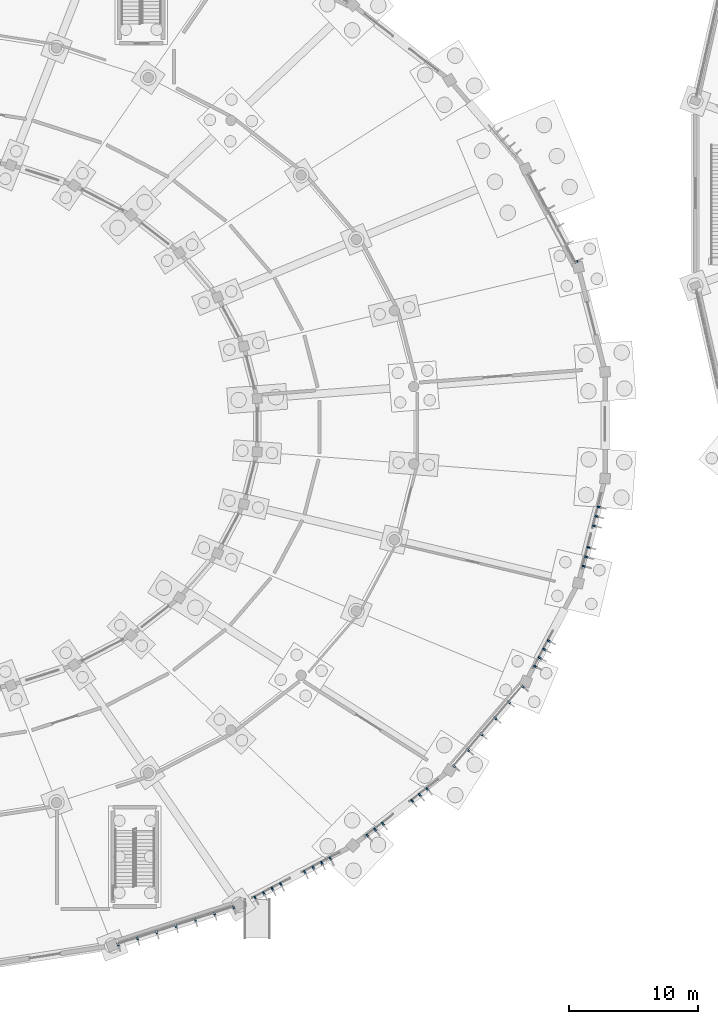
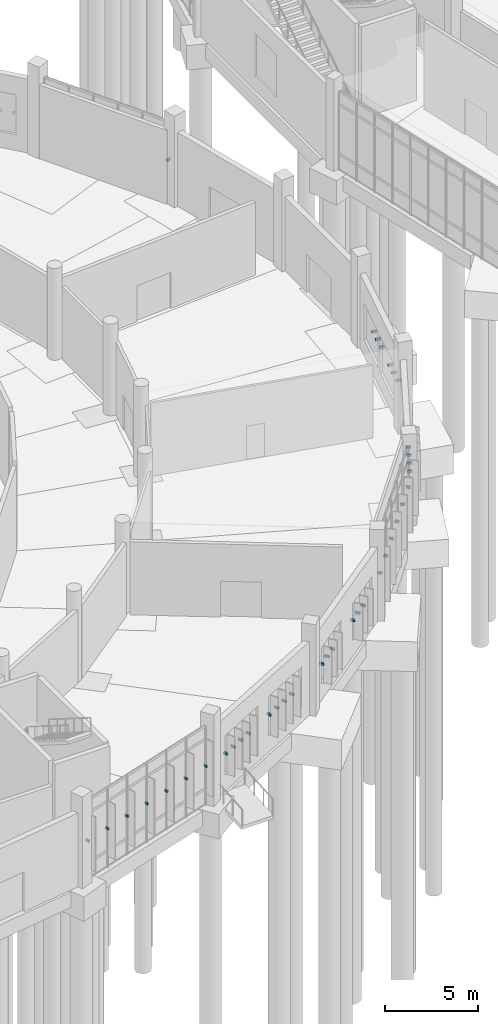
# One storey, part 102 of 140: 38 discrete accessories.
"""IFC4 building model written with IfcOpenShell, lengths in metres."""

from ifc_helpers import new_model, si_unit, direction, frame, origin, origin_2d, place, context, subcontext, project, spatial, rectangle, extrude, material, type_object, element, save


model = new_model("IFC4")

# Units and contexts
model_context = context("Model", 3, precision=1e-05, world=origin(), true_north=direction((0.0, 1.0)))
body_context = subcontext(model_context, "Body", "Model", "MODEL_VIEW")
ifc_project = project(units=[si_unit("LENGTHUNIT", "METRE"), si_unit("AREAUNIT", "SQUARE_METRE"), si_unit("VOLUMEUNIT", "CUBIC_METRE"), si_unit("PLANEANGLEUNIT", "RADIAN"), si_unit("MASSUNIT", "GRAM", prefix="KILO")], contexts=[model_context])

# Site, building, storey
site_placement = place(None, origin())
site = spatial("IfcSite", under=ifc_project, at=site_placement, CompositionType="ELEMENT")
building_placement = place(site_placement, origin())
building = spatial("IfcBuilding", under=site, at=building_placement, Name="Corvandel Quay Wholesale Market", CompositionType="ELEMENT")
storey_placement = place(building_placement, origin())
storey = spatial("IfcBuildingStorey", under=building, at=storey_placement, Name="L00", CompositionType="ELEMENT", Elevation=0.0)

# Discrete accessories
ifc_material = material(Name="Austenitic stainless steel Grade 316", Category="steel")
discrete_accessory_type = type_object("IfcDiscreteAccessoryType", Name="Stainless Solar Fin Fixing Bracket BRK01", PredefinedType="USERDEFINED", material=ifc_material)
for number, where, z_axis, x_axis, name in (
    (1, (165.7666015625, 54.676513671875, 2.5048828125), (0.0, 0.0, 1.0), (0.882619624736, 0.470087862033, 0.0), "Fin Bracket 0001"),
    (2, (130.19775390625, 1.69482421875, 2.5048828125), (0.0, 0.0, 1.0), (-0.306692204733, 0.951808747363, 0.0), "Fin Bracket 0166"),
    (3, (131.69287109375, 2.176513671875, 2.5048828125), (0.0, 0.0, 1.0), (-0.306692204733, 0.951808747363, 0.0), "Fin Bracket 0167"),
    (4, (133.188232421875, 2.658203125, 2.5048828125), (0.0, 0.0, 1.0), (-0.306692204733, 0.951808747363, 0.0), "Fin Bracket 0168"),
    (5, (134.683349609375, 3.139892578125, 2.5048828125), (0.0, 0.0, 1.0), (-0.306692204733, 0.951808747363, 0.0), "Fin Bracket 0169"),
    (6, (136.1787109375, 3.62158203125, 2.5048828125), (0.0, 0.0, 1.0), (-0.306692204733, 0.951808747363, 0.0), "Fin Bracket 0170"),
    (7, (137.673828125, 4.103271484375, 2.5048828125), (0.0, 0.0, 1.0), (-0.306692204733, 0.951808747363, 0.0), "Fin Bracket 0171"),
    (8, (139.169189453125, 4.5849609375, 2.5048828125), (0.0, 0.0, 1.0), (-0.306692204733, 0.951808747363, 0.0), "Fin Bracket 0172"),
):
    element("IfcDiscreteAccessory", number, at=place(storey_placement, frame(where, z_axis=z_axis, x_axis=x_axis)), inside=storey, type_object=discrete_accessory_type, Name=name, ObjectType="BRACKET", PredefinedType="USERDEFINED", context=body_context, shape_type="SweptSolid", body=[
        extrude(rectangle(XDim=0.239990234375, YDim=0.1201171875, at=origin_2d()), origin(), (0.0, 0.0, 1.0), 0.139892578125),
    ])
for number, where, z_axis, x_axis, name in (
    (9, (140.8408203125, 5.322998046875, 2.2802734375), (0.0, 0.0, 1.0), (-0.461129250378, 0.887332978338, 0.0), "Fin Bracket 0181"),
    (10, (141.50634765625, 5.6689453125, 2.2802734375), (0.0, 0.0, 1.0), (-0.461129250378, 0.887332978338, 0.0), "Fin Bracket 0182"),
    (11, (142.171875, 6.0146484375, 2.2802734375), (0.0, 0.0, 1.0), (-0.461129250378, 0.887332978338, 0.0), "Fin Bracket 0183"),
    (12, (142.83740234375, 6.360595703125, 2.2802734375), (0.0, 0.0, 1.0), (-0.461129250378, 0.887332978338, 0.0), "Fin Bracket 0184"),
    (13, (144.680419921875, 7.318359375, 2.2802734375), (0.0, 0.0, 1.0), (-0.461129250378, 0.887332978338, 0.0), "Fin Bracket 0185"),
    (14, (145.345703125, 7.664306640625, 2.2802734375), (0.0, 0.0, 1.0), (-0.461129250378, 0.887332978338, 0.0), "Fin Bracket 0186"),
    (15, (146.01123046875, 8.010009765625, 2.2802734375), (0.0, 0.0, 1.0), (-0.461129250378, 0.887332978338, 0.0), "Fin Bracket 0187"),
    (16, (146.6767578125, 8.355712890625, 2.2802734375), (0.0, 0.0, 1.0), (-0.461129250378, 0.887332978338, 0.0), "Fin Bracket 0188"),
    (17, (149.56591796875, 10.13818359375, 2.18017578125), (0.0, 0.0, 1.0), (-0.614009720373, 0.789298462742, 0.0), "Fin Bracket 0198"),
    (18, (150.15771484375, 10.5986328125, 2.18017578125), (0.0, 0.0, 1.0), (-0.614009720373, 0.789298462742, 0.0), "Fin Bracket 0199"),
    (19, (150.749755859375, 11.05908203125, 2.18017578125), (0.0, 0.0, 1.0), (-0.614009720373, 0.789298462742, 0.0), "Fin Bracket 0200"),
    (20, (153.031005859375, 12.83349609375, 2.18017578125), (0.0, 0.0, 1.0), (-0.614009720373, 0.789298462742, 0.0), "Fin Bracket 0201"),
    (21, (153.622802734375, 13.2939453125, 2.18017578125), (0.0, 0.0, 1.0), (-0.614009720373, 0.789298462742, 0.0), "Fin Bracket 0202"),
    (22, (154.21484375, 13.75439453125, 2.18017578125), (0.0, 0.0, 1.0), (-0.614009720373, 0.789298462742, 0.0), "Fin Bracket 0203"),
):
    element("IfcDiscreteAccessory", number, at=place(storey_placement, frame(where, z_axis=z_axis, x_axis=x_axis)), inside=storey, type_object=discrete_accessory_type, Name=name, ObjectType="BRACKET", PredefinedType="USERDEFINED", context=body_context, shape_type="SweptSolid", body=[
        extrude(rectangle(XDim=0.280029296875, YDim=0.1201171875, at=origin_2d()), origin(), (0.0, 0.0, 1.0), 0.139892578125),
    ])
for number, where, z_axis, x_axis, name in (
    (23, (156.28369140625, 15.529296875, 2.5048828125), (0.0, 0.0, 1.0), (-0.758589401976, 0.651568967347, 0.0), "Fin Bracket 0217"),
    (24, (157.34814453125, 16.7685546875, 2.5048828125), (0.0, 0.0, 1.0), (-0.758589401976, 0.651568967347, 0.0), "Fin Bracket 0218"),
    (25, (158.412841796875, 18.0078125, 2.5048828125), (0.0, 0.0, 1.0), (-0.758589401976, 0.651568967347, 0.0), "Fin Bracket 0219"),
    (26, (159.477294921875, 19.2470703125, 2.5048828125), (0.0, 0.0, 1.0), (-0.758589401976, 0.651568967347, 0.0), "Fin Bracket 0220"),
    (27, (160.541748046875, 20.486328125, 2.5048828125), (0.0, 0.0, 1.0), (-0.758589401976, 0.651568967347, 0.0), "Fin Bracket 0221"),
    (28, (161.606201171875, 21.7255859375, 2.5048828125), (0.0, 0.0, 1.0), (-0.758589401976, 0.651568967347, 0.0), "Fin Bracket 0222"),
):
    element("IfcDiscreteAccessory", number, at=place(storey_placement, frame(where, z_axis=z_axis, x_axis=x_axis)), inside=storey, type_object=discrete_accessory_type, Name=name, ObjectType="BRACKET", PredefinedType="USERDEFINED", context=body_context, shape_type="SweptSolid", body=[
        extrude(rectangle(XDim=0.239990234375, YDim=0.1201171875, at=origin_2d()), origin(), (0.0, 0.0, 1.0), 0.139892578125),
    ])
for number, where, z_axis, x_axis, name in (
    (29, (162.586181640625, 23.268310546875, 2.2802734375), (0.0, 0.0, 1.0), (-0.882619624736, 0.470087862033, 0.0), "Fin Bracket 0230"),
    (30, (162.93896484375, 23.93017578125, 2.2802734375), (0.0, 0.0, 1.0), (-0.882619624736, 0.470087862033, 0.0), "Fin Bracket 0231"),
    (31, (163.29150390625, 24.592041015625, 2.2802734375), (0.0, 0.0, 1.0), (-0.882619624736, 0.470087862033, 0.0), "Fin Bracket 0232"),
    (32, (163.64404296875, 25.25390625, 2.2802734375), (0.0, 0.0, 1.0), (-0.882619624736, 0.470087862033, 0.0), "Fin Bracket 0233"),
    (33, (166.361328125, 31.051513671875, 2.18017578125), (0.0, 0.0, 1.0), (-0.968843057437, 0.247675453076, 0.0), "Fin Bracket 0240"),
    (34, (166.547119140625, 31.778076171875, 2.18017578125), (0.0, 0.0, 1.0), (-0.968843057437, 0.247675453076, 0.0), "Fin Bracket 0241"),
    (35, (166.73291015625, 32.5048828125, 2.18017578125), (0.0, 0.0, 1.0), (-0.968843057437, 0.247675453076, 0.0), "Fin Bracket 0242"),
    (36, (167.162841796875, 34.185791015625, 2.18017578125), (0.0, 0.0, 1.0), (-0.968843057437, 0.247675453076, 0.0), "Fin Bracket 0243"),
    (37, (167.3486328125, 34.912353515625, 2.18017578125), (0.0, 0.0, 1.0), (-0.968843057437, 0.247675453076, 0.0), "Fin Bracket 0244"),
    (38, (167.534423828125, 35.638916015625, 2.18017578125), (0.0, 0.0, 1.0), (-0.968843057437, 0.247675453076, 0.0), "Fin Bracket 0245"),
):
    element("IfcDiscreteAccessory", number, at=place(storey_placement, frame(where, z_axis=z_axis, x_axis=x_axis)), inside=storey, type_object=discrete_accessory_type, Name=name, ObjectType="BRACKET", PredefinedType="USERDEFINED", context=body_context, shape_type="SweptSolid", body=[
        extrude(rectangle(XDim=0.280029296875, YDim=0.1201171875, at=origin_2d()), origin(), (0.0, 0.0, 1.0), 0.139892578125),
    ])

save(model, "model.ifc")
